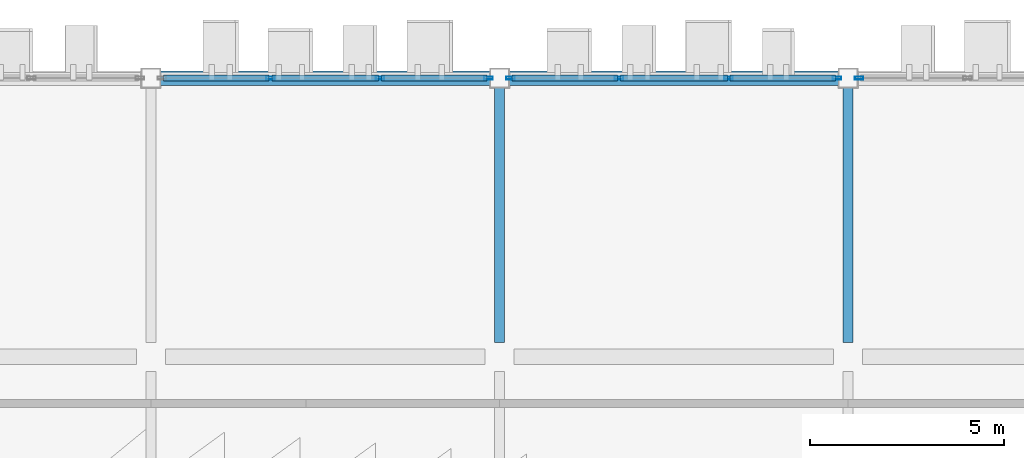
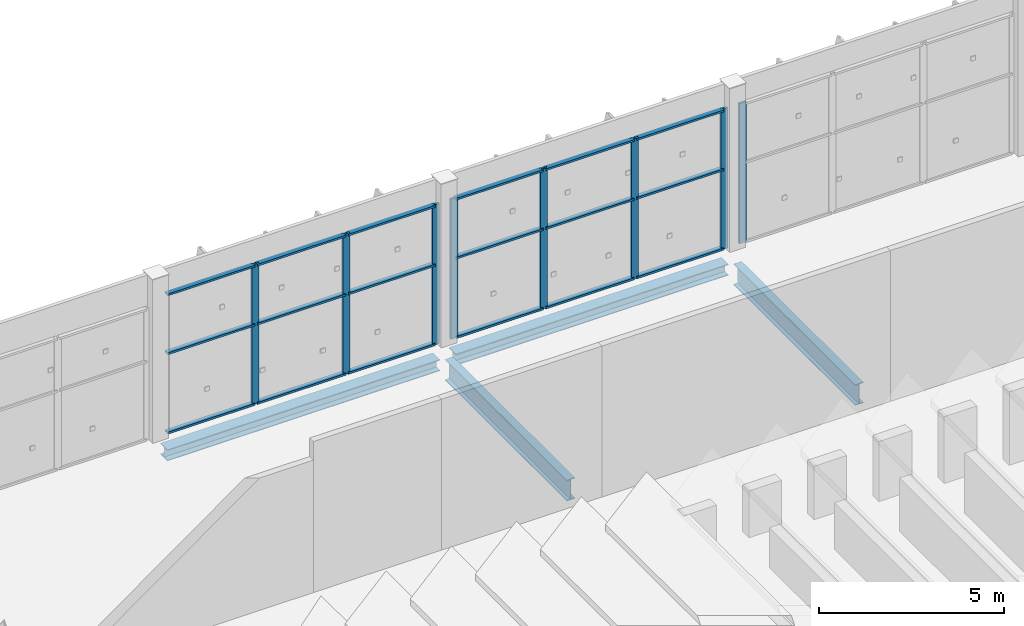
# One storey, part 104 of 189: 26 members, 4 beams, 3 elements without a shape of their own.
"""IFC4 building model written with IfcOpenShell, lengths in metres."""

from ifc_helpers import new_model, si_unit, direction, frame, origin, origin_2d, place, context, subcontext, project, spatial, hollow_rectangle, i_section, extrude, material, layer, layer_set, material_profile, profile_set, type_object, element, aggregate, save


model = new_model("IFC4")

# Units and contexts
model_context = context("Model", 3, precision=1e-05, world=origin(), true_north=direction((0.0, 1.0)))
body_context = subcontext(model_context, "Body", "Model", "MODEL_VIEW")
ifc_project = project(units=[si_unit("LENGTHUNIT", "METRE"), si_unit("AREAUNIT", "SQUARE_METRE"), si_unit("VOLUMEUNIT", "CUBIC_METRE"), si_unit("PLANEANGLEUNIT", "RADIAN"), si_unit("MASSUNIT", "GRAM", prefix="KILO")], contexts=[model_context])

# Site, building, storey
site_placement = place(None, origin())
site = spatial("IfcSite", under=ifc_project, at=site_placement, CompositionType="ELEMENT")
building_placement = place(site_placement, origin())
building = spatial("IfcBuilding", under=site, at=building_placement, Name="Celestram Park Convention Centre", CompositionType="ELEMENT")
storey_placement = place(building_placement, frame((0.0, 0.0, 5.39990234375)))
storey = spatial("IfcBuildingStorey", under=building, at=storey_placement, Name="L01", CompositionType="ELEMENT", Elevation=5.39990234375)

# Curtain wall, members
ifc_material_1 = material(Name="Anodised Aluminium Alloy 6063-T6", Category="aluminium")
ifc_layer = layer(ifc_material_1, 0.179931640625)
ifc_layer_set = layer_set([ifc_layer], Name="Anodised Aluminium Alloy 6063-T6")
curtain_wall_type = type_object("IfcCurtainWallType", Name="ARC-CW-850X462", PredefinedType="NOTDEFINED", material=ifc_layer_set)
curtain_wall_1_placement = place(storey_placement, origin())
curtain_wall_1 = element("IfcCurtainWall", 1, at=curtain_wall_1_placement, inside=storey, type_object=curtain_wall_type, Name="Unitised curtain wall CU-L01-069", PredefinedType="NOTDEFINED")
ifc_material_profile_1 = material_profile(ifc_material_1, hollow_rectangle(XDim=0.074951171875, YDim=0.219970703125, WallThickness=0.00390625, at=origin_2d()), Name="ALU75X220X4")
ifc_profile_set_1 = profile_set([ifc_material_profile_1], Name="Anodised Aluminium Alloy 6063-T6")
member_type_1 = type_object("IfcMemberType", Name="ARC-CWM-180", PredefinedType="MULLION", material=ifc_profile_set_1)
member_1_placement = place(storey_placement, frame((165.082763671875, 165.60009765625, 0.0), z_axis=(0.0, 0.0, 1.0), x_axis=(0.0, 1.0, 0.0)))
member_1 = element("IfcMember", 2, at=member_1_placement, type_object=member_type_1, Name="CW-85X46 mullion 2", PredefinedType="MULLION", context=body_context, shape_type="SweptSolid", body=[
    extrude(hollow_rectangle(XDim=0.074951171875, YDim=0.219970703125, WallThickness=0.00390625, at=origin_2d()), origin(), (0.0, 0.0, 1.0), 4.6240234375),
])
member_2_placement = place(storey_placement, frame((167.917236328125, 165.60009765625, 0.0), z_axis=(0.0, 0.0, 1.0), x_axis=(0.0, 1.0, 0.0)))
member_2 = element("IfcMember", 3, at=member_2_placement, type_object=member_type_1, Name="CW-85X46 mullion 3", PredefinedType="MULLION", context=body_context, shape_type="SweptSolid", body=[
    extrude(hollow_rectangle(XDim=0.074951171875, YDim=0.219970703125, WallThickness=0.00390625, at=origin_2d()), origin(), (0.0, 0.0, 1.0), 4.6240234375),
])
member_3_placement = place(storey_placement, frame((170.714599609375, 165.60009765625, 0.0), z_axis=(0.0, 0.0, 1.0), x_axis=(0.0, 1.0, 0.0)))
member_3 = element("IfcMember", 4, at=member_3_placement, type_object=member_type_1, Name="CW-85X46 mullion 4", PredefinedType="MULLION", context=body_context, shape_type="SweptSolid", body=[
    extrude(hollow_rectangle(XDim=0.074951171875, YDim=0.219970703125, WallThickness=0.00390625, at=origin_2d()), origin(), (0.0, 0.0, 1.0), 4.6240234375),
])

curtain_wall_2_placement = place(storey_placement, origin())
curtain_wall_2 = element("IfcCurtainWall", 5, at=curtain_wall_2_placement, inside=storey, type_object=curtain_wall_type, Name="Unitised curtain wall CU-L01-070", PredefinedType="NOTDEFINED")
member_4_placement = place(storey_placement, frame((171.285400390625, 165.60009765625, 0.0), z_axis=(0.0, 0.0, 1.0), x_axis=(0.0, 1.0, 0.0)))
member_4 = element("IfcMember", 6, at=member_4_placement, type_object=member_type_1, Name="CW-85X46 mullion 1", PredefinedType="MULLION", context=body_context, shape_type="SweptSolid", body=[
    extrude(hollow_rectangle(XDim=0.074951171875, YDim=0.219970703125, WallThickness=0.00390625, at=origin_2d()), origin(), (0.0, 0.0, 1.0), 4.6240234375),
])
member_5_placement = place(storey_placement, frame((174.082763671875, 165.60009765625, 0.0), z_axis=(0.0, 0.0, 1.0), x_axis=(0.0, 1.0, 0.0)))
member_5 = element("IfcMember", 7, at=member_5_placement, type_object=member_type_1, Name="CW-85X46 mullion 2", PredefinedType="MULLION", context=body_context, shape_type="SweptSolid", body=[
    extrude(hollow_rectangle(XDim=0.074951171875, YDim=0.219970703125, WallThickness=0.00390625, at=origin_2d()), origin(), (0.0, 0.0, 1.0), 4.6240234375),
])
member_6_placement = place(storey_placement, frame((176.917236328125, 165.60009765625, 0.0), z_axis=(0.0, 0.0, 1.0), x_axis=(0.0, 1.0, 0.0)))
member_6 = element("IfcMember", 8, at=member_6_placement, type_object=member_type_1, Name="CW-85X46 mullion 3", PredefinedType="MULLION", context=body_context, shape_type="SweptSolid", body=[
    extrude(hollow_rectangle(XDim=0.074951171875, YDim=0.219970703125, WallThickness=0.00390625, at=origin_2d()), origin(), (0.0, 0.0, 1.0), 4.6240234375),
])
member_7_placement = place(storey_placement, frame((179.714599609375, 165.60009765625, 0.0), z_axis=(0.0, 0.0, 1.0), x_axis=(0.0, 1.0, 0.0)))
member_7 = element("IfcMember", 9, at=member_7_placement, type_object=member_type_1, Name="CW-85X46 mullion 4", PredefinedType="MULLION", context=body_context, shape_type="SweptSolid", body=[
    extrude(hollow_rectangle(XDim=0.074951171875, YDim=0.219970703125, WallThickness=0.00390625, at=origin_2d()), origin(), (0.0, 0.0, 1.0), 4.6240234375),
])

# Curtain wall, member
curtain_wall_3_placement = place(storey_placement, origin())
curtain_wall_3 = element("IfcCurtainWall", 10, at=curtain_wall_3_placement, inside=storey, type_object=curtain_wall_type, Name="Unitised curtain wall CU-L01-071", PredefinedType="NOTDEFINED")
member_8_placement = place(storey_placement, frame((180.285400390625, 165.60009765625, 0.0), z_axis=(0.0, 0.0, 1.0), x_axis=(0.0, 1.0, 0.0)))
member_8 = element("IfcMember", 11, at=member_8_placement, type_object=member_type_1, Name="CW-85X46 mullion 1", PredefinedType="MULLION", context=body_context, shape_type="SweptSolid", body=[
    extrude(hollow_rectangle(XDim=0.074951171875, YDim=0.219970703125, WallThickness=0.00390625, at=origin_2d()), origin(), (0.0, 0.0, 1.0), 4.6240234375),
])
aggregate(curtain_wall_3, [member_8])

# Member
ifc_material_profile_2 = material_profile(ifc_material_1, hollow_rectangle(XDim=0.14990234375, YDim=0.06494140625, WallThickness=0.0029296875, at=origin_2d()), Name="ALU150X65X3")
ifc_profile_set_2 = profile_set([ifc_material_profile_2], Name="Anodised Aluminium Alloy 6063-T6")
member_type_2 = type_object("IfcMemberType", Name="ARC-CWT-150", PredefinedType="USERDEFINED", material=ifc_profile_set_2)
member_9_placement = place(storey_placement, frame((162.322998046875, 165.60009765625, 0.03271484375), z_axis=(1.0, 0.0, 0.0), x_axis=(0.0, 1.0, 0.0)))
member_9 = element("IfcMember", 12, at=member_9_placement, type_object=member_type_2, Name="CW-85X46 transom 1.1", ObjectType="TRANSOM", PredefinedType="USERDEFINED", context=body_context, shape_type="SweptSolid", body=[
    extrude(hollow_rectangle(XDim=0.14990234375, YDim=0.06494140625, WallThickness=0.0029296875, at=origin_2d()), origin(), (0.0, 0.0, 1.0), 2.72216796875),
])

member_10_placement = place(storey_placement, frame((162.322998046875, 165.60009765625, 2.650146484375), z_axis=(1.0, 0.0, 0.0), x_axis=(0.0, 1.0, 0.0)))
member_10 = element("IfcMember", 13, at=member_10_placement, type_object=member_type_2, Name="CW-85X46 transom 1.2", ObjectType="TRANSOM", PredefinedType="USERDEFINED", context=body_context, shape_type="SweptSolid", body=[
    extrude(hollow_rectangle(XDim=0.14990234375, YDim=0.06494140625, WallThickness=0.0029296875, at=origin_2d()), origin(), (0.0, 0.0, 1.0), 2.72216796875),
])

member_11_placement = place(storey_placement, frame((162.322998046875, 165.60009765625, 4.591552734375), z_axis=(1.0, 0.0, 0.0), x_axis=(0.0, 1.0, 0.0)))
member_11 = element("IfcMember", 14, at=member_11_placement, type_object=member_type_2, Name="CW-85X46 transom 1.3", ObjectType="TRANSOM", PredefinedType="USERDEFINED", context=body_context, shape_type="SweptSolid", body=[
    extrude(hollow_rectangle(XDim=0.14990234375, YDim=0.06494140625, WallThickness=0.0029296875, at=origin_2d()), origin(), (0.0, 0.0, 1.0), 2.72216796875),
])

member_12_placement = place(storey_placement, frame((165.1201171875, 165.60009765625, 0.03271484375), z_axis=(1.0, 0.0, 0.0), x_axis=(0.0, 1.0, 0.0)))
member_12 = element("IfcMember", 15, at=member_12_placement, type_object=member_type_2, Name="CW-85X46 transom 2.1", ObjectType="TRANSOM", PredefinedType="USERDEFINED", context=body_context, shape_type="SweptSolid", body=[
    extrude(hollow_rectangle(XDim=0.14990234375, YDim=0.06494140625, WallThickness=0.0029296875, at=origin_2d()), origin(), (0.0, 0.0, 1.0), 2.759765625),
])

member_13_placement = place(storey_placement, frame((165.1201171875, 165.60009765625, 2.650146484375), z_axis=(1.0, 0.0, 0.0), x_axis=(0.0, 1.0, 0.0)))
member_13 = element("IfcMember", 16, at=member_13_placement, type_object=member_type_2, Name="CW-85X46 transom 2.2", ObjectType="TRANSOM", PredefinedType="USERDEFINED", context=body_context, shape_type="SweptSolid", body=[
    extrude(hollow_rectangle(XDim=0.14990234375, YDim=0.06494140625, WallThickness=0.0029296875, at=origin_2d()), origin(), (0.0, 0.0, 1.0), 2.759765625),
])

member_14_placement = place(storey_placement, frame((165.1201171875, 165.60009765625, 4.591552734375), z_axis=(1.0, 0.0, 0.0), x_axis=(0.0, 1.0, 0.0)))
member_14 = element("IfcMember", 17, at=member_14_placement, type_object=member_type_2, Name="CW-85X46 transom 2.3", ObjectType="TRANSOM", PredefinedType="USERDEFINED", context=body_context, shape_type="SweptSolid", body=[
    extrude(hollow_rectangle(XDim=0.14990234375, YDim=0.06494140625, WallThickness=0.0029296875, at=origin_2d()), origin(), (0.0, 0.0, 1.0), 2.759765625),
])

member_15_placement = place(storey_placement, frame((167.954833984375, 165.60009765625, 0.03271484375), z_axis=(1.0, 0.0, 0.0), x_axis=(0.0, 1.0, 0.0)))
member_15 = element("IfcMember", 18, at=member_15_placement, type_object=member_type_2, Name="CW-85X46 transom 3.1", ObjectType="TRANSOM", PredefinedType="USERDEFINED", context=body_context, shape_type="SweptSolid", body=[
    extrude(hollow_rectangle(XDim=0.14990234375, YDim=0.06494140625, WallThickness=0.0029296875, at=origin_2d()), origin(), (0.0, 0.0, 1.0), 2.72216796875),
])

member_16_placement = place(storey_placement, frame((167.954833984375, 165.60009765625, 2.650146484375), z_axis=(1.0, 0.0, 0.0), x_axis=(0.0, 1.0, 0.0)))
member_16 = element("IfcMember", 19, at=member_16_placement, type_object=member_type_2, Name="CW-85X46 transom 3.2", ObjectType="TRANSOM", PredefinedType="USERDEFINED", context=body_context, shape_type="SweptSolid", body=[
    extrude(hollow_rectangle(XDim=0.14990234375, YDim=0.06494140625, WallThickness=0.0029296875, at=origin_2d()), origin(), (0.0, 0.0, 1.0), 2.72216796875),
])

member_17_placement = place(storey_placement, frame((167.954833984375, 165.60009765625, 4.591552734375), z_axis=(1.0, 0.0, 0.0), x_axis=(0.0, 1.0, 0.0)))
member_17 = element("IfcMember", 20, at=member_17_placement, type_object=member_type_2, Name="CW-85X46 transom 3.3", ObjectType="TRANSOM", PredefinedType="USERDEFINED", context=body_context, shape_type="SweptSolid", body=[
    extrude(hollow_rectangle(XDim=0.14990234375, YDim=0.06494140625, WallThickness=0.0029296875, at=origin_2d()), origin(), (0.0, 0.0, 1.0), 2.72216796875),
])

aggregate(curtain_wall_1, [member_1, member_2, member_3, member_9, member_10, member_11, member_12, member_13, member_14, member_15, member_16, member_17])

member_18_placement = place(storey_placement, frame((171.322998046875, 165.60009765625, 0.03271484375), z_axis=(1.0, 0.0, 0.0), x_axis=(0.0, 1.0, 0.0)))
member_18 = element("IfcMember", 21, at=member_18_placement, type_object=member_type_2, Name="CW-85X46 transom 1.1", ObjectType="TRANSOM", PredefinedType="USERDEFINED", context=body_context, shape_type="SweptSolid", body=[
    extrude(hollow_rectangle(XDim=0.14990234375, YDim=0.06494140625, WallThickness=0.0029296875, at=origin_2d()), origin(), (0.0, 0.0, 1.0), 2.72216796875),
])

member_19_placement = place(storey_placement, frame((171.322998046875, 165.60009765625, 2.650146484375), z_axis=(1.0, 0.0, 0.0), x_axis=(0.0, 1.0, 0.0)))
member_19 = element("IfcMember", 22, at=member_19_placement, type_object=member_type_2, Name="CW-85X46 transom 1.2", ObjectType="TRANSOM", PredefinedType="USERDEFINED", context=body_context, shape_type="SweptSolid", body=[
    extrude(hollow_rectangle(XDim=0.14990234375, YDim=0.06494140625, WallThickness=0.0029296875, at=origin_2d()), origin(), (0.0, 0.0, 1.0), 2.72216796875),
])

member_20_placement = place(storey_placement, frame((171.322998046875, 165.60009765625, 4.591552734375), z_axis=(1.0, 0.0, 0.0), x_axis=(0.0, 1.0, 0.0)))
member_20 = element("IfcMember", 23, at=member_20_placement, type_object=member_type_2, Name="CW-85X46 transom 1.3", ObjectType="TRANSOM", PredefinedType="USERDEFINED", context=body_context, shape_type="SweptSolid", body=[
    extrude(hollow_rectangle(XDim=0.14990234375, YDim=0.06494140625, WallThickness=0.0029296875, at=origin_2d()), origin(), (0.0, 0.0, 1.0), 2.72216796875),
])

member_21_placement = place(storey_placement, frame((174.1201171875, 165.60009765625, 0.03271484375), z_axis=(1.0, 0.0, 0.0), x_axis=(0.0, 1.0, 0.0)))
member_21 = element("IfcMember", 24, at=member_21_placement, type_object=member_type_2, Name="CW-85X46 transom 2.1", ObjectType="TRANSOM", PredefinedType="USERDEFINED", context=body_context, shape_type="SweptSolid", body=[
    extrude(hollow_rectangle(XDim=0.14990234375, YDim=0.06494140625, WallThickness=0.0029296875, at=origin_2d()), origin(), (0.0, 0.0, 1.0), 2.759765625),
])

member_22_placement = place(storey_placement, frame((174.1201171875, 165.60009765625, 2.650146484375), z_axis=(1.0, 0.0, 0.0), x_axis=(0.0, 1.0, 0.0)))
member_22 = element("IfcMember", 25, at=member_22_placement, type_object=member_type_2, Name="CW-85X46 transom 2.2", ObjectType="TRANSOM", PredefinedType="USERDEFINED", context=body_context, shape_type="SweptSolid", body=[
    extrude(hollow_rectangle(XDim=0.14990234375, YDim=0.06494140625, WallThickness=0.0029296875, at=origin_2d()), origin(), (0.0, 0.0, 1.0), 2.759765625),
])

member_23_placement = place(storey_placement, frame((174.1201171875, 165.60009765625, 4.591552734375), z_axis=(1.0, 0.0, 0.0), x_axis=(0.0, 1.0, 0.0)))
member_23 = element("IfcMember", 26, at=member_23_placement, type_object=member_type_2, Name="CW-85X46 transom 2.3", ObjectType="TRANSOM", PredefinedType="USERDEFINED", context=body_context, shape_type="SweptSolid", body=[
    extrude(hollow_rectangle(XDim=0.14990234375, YDim=0.06494140625, WallThickness=0.0029296875, at=origin_2d()), origin(), (0.0, 0.0, 1.0), 2.759765625),
])

member_24_placement = place(storey_placement, frame((176.954833984375, 165.60009765625, 0.03271484375), z_axis=(1.0, 0.0, 0.0), x_axis=(0.0, 1.0, 0.0)))
member_24 = element("IfcMember", 27, at=member_24_placement, type_object=member_type_2, Name="CW-85X46 transom 3.1", ObjectType="TRANSOM", PredefinedType="USERDEFINED", context=body_context, shape_type="SweptSolid", body=[
    extrude(hollow_rectangle(XDim=0.14990234375, YDim=0.06494140625, WallThickness=0.0029296875, at=origin_2d()), origin(), (0.0, 0.0, 1.0), 2.72216796875),
])

member_25_placement = place(storey_placement, frame((176.954833984375, 165.60009765625, 2.650146484375), z_axis=(1.0, 0.0, 0.0), x_axis=(0.0, 1.0, 0.0)))
member_25 = element("IfcMember", 28, at=member_25_placement, type_object=member_type_2, Name="CW-85X46 transom 3.2", ObjectType="TRANSOM", PredefinedType="USERDEFINED", context=body_context, shape_type="SweptSolid", body=[
    extrude(hollow_rectangle(XDim=0.14990234375, YDim=0.06494140625, WallThickness=0.0029296875, at=origin_2d()), origin(), (0.0, 0.0, 1.0), 2.72216796875),
])

member_26_placement = place(storey_placement, frame((176.954833984375, 165.60009765625, 4.591552734375), z_axis=(1.0, 0.0, 0.0), x_axis=(0.0, 1.0, 0.0)))
member_26 = element("IfcMember", 29, at=member_26_placement, type_object=member_type_2, Name="CW-85X46 transom 3.3", ObjectType="TRANSOM", PredefinedType="USERDEFINED", context=body_context, shape_type="SweptSolid", body=[
    extrude(hollow_rectangle(XDim=0.14990234375, YDim=0.06494140625, WallThickness=0.0029296875, at=origin_2d()), origin(), (0.0, 0.0, 1.0), 2.72216796875),
])

aggregate(curtain_wall_2, [member_4, member_5, member_6, member_7, member_18, member_19, member_20, member_21, member_22, member_23, member_24, member_25, member_26])

# Beams
ifc_material_2 = material(Name="Steel ASTM A992 Grade 50", Category="steel")
ifc_material_profile_3 = material_profile(ifc_material_2, i_section(OverallWidth=0.25390625, OverallDepth=0.68310546875, WebThickness=0.012451171875, FlangeThickness=0.01904296875, at=origin_2d()), Name="W27X94")
ifc_profile_set_3 = profile_set([ifc_material_profile_3], Name="Steel ASTM A992 Grade 50")
beam_type_1 = type_object("IfcBeamType", Name="STR-BM-W27X94", PredefinedType="BEAM", material=ifc_profile_set_3)
for number, where, z_axis, x_axis, name in (
    (30, (171.0, 158.77294921875, -0.761474609375), (0.0, 1.0, 0.0), (-1.0, 0.0, 0.0), "Primary Y-girder BG-L01-0432"),
    (31, (180.0, 158.77294921875, -0.761474609375), (0.0, 1.0, 0.0), (-1.0, 0.0, 0.0), "Primary Y-girder BG-L01-0458"),
):
    element("IfcBeam", number, at=place(storey_placement, frame(where, z_axis=z_axis, x_axis=x_axis)), inside=storey, type_object=beam_type_1, Name=name, PredefinedType="BEAM", context=body_context, shape_type="SweptSolid", body=[
        extrude(i_section(OverallWidth=0.25390625, OverallDepth=0.68310546875, WebThickness=0.012451171875, FlangeThickness=0.01904296875, at=origin_2d()), origin(), (0.0, 0.0, 1.0), 6.5791015625),
    ])
ifc_material_profile_4 = material_profile(ifc_material_2, i_section(OverallWidth=0.373046875, OverallDepth=0.373046875, WebThickness=0.016357421875, FlangeThickness=0.026123046875, at=origin_2d()), Name="W14X132")
ifc_profile_set_4 = profile_set([ifc_material_profile_4], Name="Steel ASTM A992 Grade 50")
beam_type_2 = type_object("IfcBeamType", Name="STR-SPN-W14X132", PredefinedType="SPANDREL", material=ifc_profile_set_4)
for number, where, z_axis, x_axis, name in (
    (32, (162.248046875, 165.60009765625, -0.6064453125), (1.0, 0.0, 0.0), (0.0, 1.0, 0.0), "Primary X-girder BG-L01-0407"),
    (33, (171.248046875, 165.60009765625, -0.6064453125), (1.0, 0.0, 0.0), (0.0, 1.0, 0.0), "Primary X-girder BG-L01-0433"),
):
    element("IfcBeam", number, at=place(storey_placement, frame(where, z_axis=z_axis, x_axis=x_axis)), inside=storey, type_object=beam_type_2, Name=name, PredefinedType="SPANDREL", context=body_context, shape_type="SweptSolid", body=[
        extrude(i_section(OverallWidth=0.373046875, OverallDepth=0.373046875, WebThickness=0.016357421875, FlangeThickness=0.026123046875, at=origin_2d()), origin(), (0.0, 0.0, 1.0), 8.50390625),
    ])

save(model, "model.ifc")
